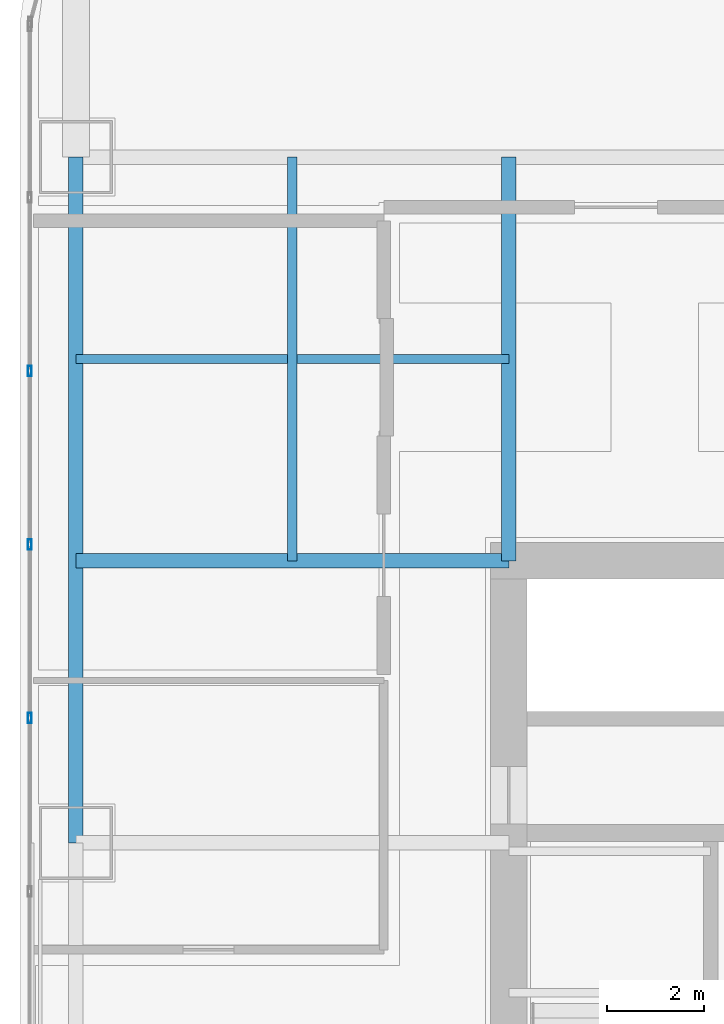
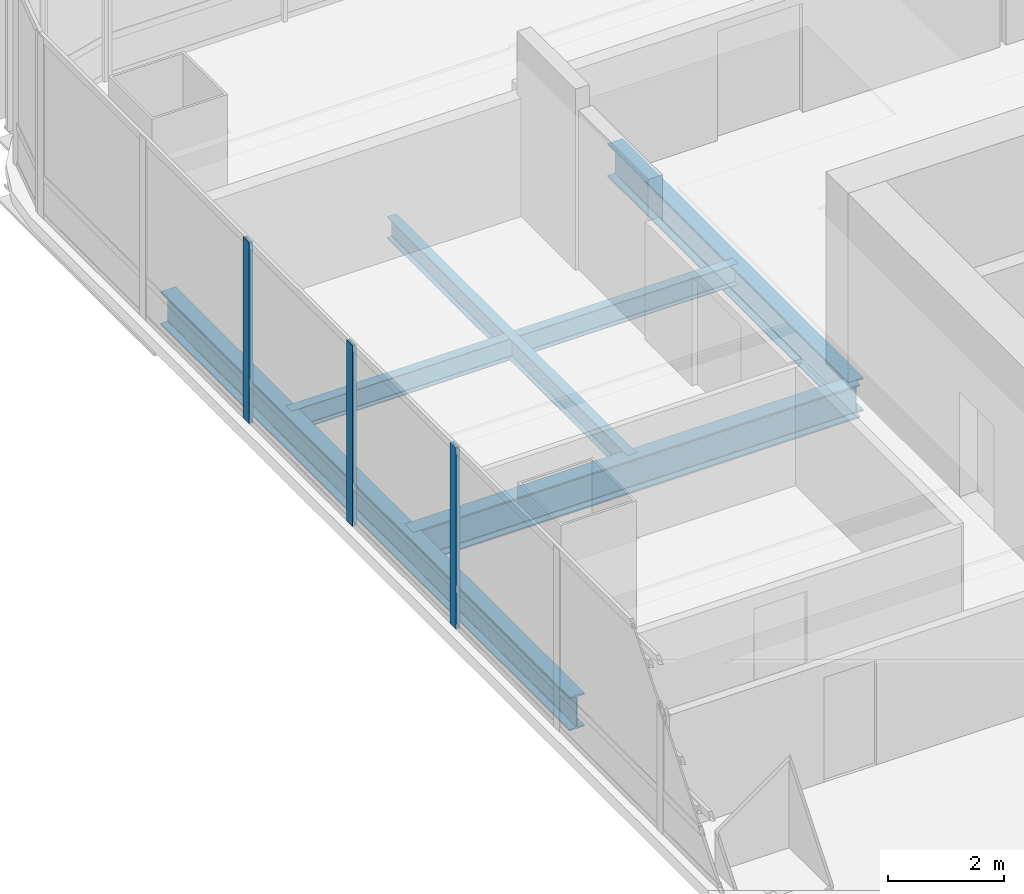
# One storey, part 11 of 34: 5 beams, 3 members, 1 element without a shape of its own.
"""IFC4 building model written with IfcOpenShell, lengths in metres."""

from ifc_helpers import new_model, si_unit, direction, frame, origin, origin_2d, place, context, subcontext, project, spatial, hollow_rectangle, i_section, extrude, material, material_profile, profile_set, type_object, element, aggregate, save


model = new_model("IFC4")

# Units and contexts
model_context = context("Model", 3, precision=1e-05, world=origin(), true_north=direction((0.0, 1.0)))
body_context = subcontext(model_context, "Body", "Model", "MODEL_VIEW")
ifc_project = project(units=[si_unit("LENGTHUNIT", "METRE"), si_unit("AREAUNIT", "SQUARE_METRE"), si_unit("VOLUMEUNIT", "CUBIC_METRE"), si_unit("PLANEANGLEUNIT", "RADIAN"), si_unit("MASSUNIT", "GRAM", prefix="KILO")], contexts=[model_context])

# Site, building, storey
site_placement = place(None, origin())
site = spatial("IfcSite", under=ifc_project, at=site_placement, CompositionType="ELEMENT")
building_placement = place(site_placement, origin())
building = spatial("IfcBuilding", under=site, at=building_placement, Name="Punatoya Terracotta Tower", CompositionType="ELEMENT")
storey_placement = place(building_placement, frame((0.0, 0.0, 105.14990234375)))
storey = spatial("IfcBuildingStorey", under=building, at=storey_placement, Name="L24", CompositionType="ELEMENT", Elevation=105.14990234375)

# Beams
ifc_material_1 = material(Name="Steel S355", Category="steel")
ifc_material_profile_1 = material_profile(ifc_material_1, i_section(OverallWidth=0.300048828125, OverallDepth=0.699951171875, WebThickness=0.01708984375, FlangeThickness=0.031982421875, FilletRadius=0.01806640625, at=origin_2d()))
ifc_profile_set_1 = profile_set([ifc_material_profile_1], Name="Steel S355")
beam_type_1 = type_object("IfcBeamType", Name="BM-PRI-700", PredefinedType="BEAM", material=ifc_profile_set_1)
beam_1_placement = place(storey_placement, frame((-19.10009765625, 3.39990234375, -0.58984375), z_axis=(0.0, 1.0, 0.0), x_axis=(-1.0, 0.0, 0.0)))
element("IfcBeam", 1, at=beam_1_placement, inside=storey, type_object=beam_type_1, Name="BM-L24-RG-W3", PredefinedType="BEAM", context=body_context, shape_type="SweptSolid", body=[
    extrude(i_section(OverallWidth=0.300048828125, OverallDepth=0.699951171875, WebThickness=0.01708984375, FlangeThickness=0.031982421875, FilletRadius=0.01806640625, at=origin_2d()), origin(), (0.0, 0.0, 1.0), 14.10009765625),
])
beam_2_placement = place(storey_placement, frame((-19.10009765625, 9.199951171875, -0.58984375), z_axis=(1.0, 0.0, 0.0), x_axis=(0.0, 1.0, 0.0)))
element("IfcBeam", 2, at=beam_2_placement, inside=storey, type_object=beam_type_1, Name="BM-L24-PR-WN", PredefinedType="BEAM", context=body_context, shape_type="SweptSolid", body=[
    extrude(i_section(OverallWidth=0.300048828125, OverallDepth=0.699951171875, WebThickness=0.01708984375, FlangeThickness=0.031982421875, FilletRadius=0.01806640625, at=origin_2d()), origin(), (0.0, 0.0, 1.0), 8.900146484375),
])
beam_3_placement = place(storey_placement, frame((-10.199951171875, 9.199951171875, -0.58984375), z_axis=(0.0, 1.0, 0.0), x_axis=(-1.0, 0.0, 0.0)))
element("IfcBeam", 3, at=beam_3_placement, inside=storey, type_object=beam_type_1, Name="BM-L24-PR-N1", PredefinedType="BEAM", context=body_context, shape_type="SweptSolid", body=[
    extrude(i_section(OverallWidth=0.300048828125, OverallDepth=0.699951171875, WebThickness=0.01708984375, FlangeThickness=0.031982421875, FilletRadius=0.01806640625, at=origin_2d()), origin(), (0.0, 0.0, 1.0), 8.300048828125),
])
ifc_material_profile_2 = material_profile(ifc_material_1, i_section(OverallWidth=0.18994140625, OverallDepth=0.449951171875, WebThickness=0.009521484375, FlangeThickness=0.0146484375, FilletRadius=0.01806640625, at=origin_2d()))
ifc_profile_set_2 = profile_set([ifc_material_profile_2], Name="Steel S355")
beam_type_2 = type_object("IfcBeamType", Name="BM-SEC-450", PredefinedType="JOIST", material=ifc_profile_set_2)
beam_4_placement = place(storey_placement, frame((-19.10009765625, 13.35009765625, -0.46484375), z_axis=(1.0, 0.0, 0.0), x_axis=(0.0, 1.0, 0.0)))
element("IfcBeam", 4, at=beam_4_placement, inside=storey, type_object=beam_type_2, Name="BM-L24-SJN-1", PredefinedType="JOIST", context=body_context, shape_type="SweptSolid", body=[
    extrude(i_section(OverallWidth=0.18994140625, OverallDepth=0.449951171875, WebThickness=0.009521484375, FlangeThickness=0.0146484375, FilletRadius=0.01806640625, at=origin_2d()), origin(), (0.0, 0.0, 1.0), 8.900146484375),
])
beam_5_placement = place(storey_placement, frame((-14.64990234375, 9.199951171875, -0.46484375), z_axis=(0.0, 1.0, 0.0), x_axis=(-1.0, 0.0, 0.0)))
element("IfcBeam", 5, at=beam_5_placement, inside=storey, type_object=beam_type_2, Name="BM-L24-SJW-2", PredefinedType="JOIST", context=body_context, shape_type="SweptSolid", body=[
    extrude(i_section(OverallWidth=0.18994140625, OverallDepth=0.449951171875, WebThickness=0.009521484375, FlangeThickness=0.0146484375, FilletRadius=0.01806640625, at=origin_2d()), origin(), (0.0, 0.0, 1.0), 8.300048828125),
])

# Curtain wall, members
ifc_material_2 = material(Name="Aluminium 6063-T6 + Double Low-E Glass", Category="aluminium")
curtain_wall_type = type_object("IfcCurtainWallType", Name="CW-M1", PredefinedType="NOTDEFINED", material=ifc_material_2)
curtain_wall_placement = place(storey_placement, origin())
curtain_wall = element("IfcCurtainWall", 6, at=curtain_wall_placement, inside=storey, type_object=curtain_wall_type, Name="L24 Curtain Wall CW-L24-W13-1", PredefinedType="NOTDEFINED")
ifc_material_3 = material(Name="Aluminium 6063-T6", Category="aluminium")
ifc_material_profile_3 = material_profile(ifc_material_3, hollow_rectangle(XDim=0.074951171875, YDim=0.2099609375, WallThickness=0.00439453125, at=origin_2d()))
ifc_profile_set_3 = profile_set([ifc_material_profile_3], Name="Aluminium 6063-T6")
member_type = type_object("IfcMemberType", Name="CW-MUL-M1", PredefinedType="MULLION", material=ifc_profile_set_3)
member_1_placement = place(storey_placement, frame((-20.050048828125, 13.10205078125, 0.0), z_axis=(0.0, 0.0, 1.0), x_axis=(1.0, 0.0, 0.0)))
member_1 = element("IfcMember", 7, at=member_1_placement, type_object=member_type, Name="CW-L24-W13-1 Mullion 02", PredefinedType="MULLION", context=body_context, shape_type="SweptSolid", body=[
    extrude(hollow_rectangle(XDim=0.074951171875, YDim=0.2099609375, WallThickness=0.00439453125, at=origin_2d()), origin(), (0.0, 0.0, 1.0), 3.81005859375),
])
member_2_placement = place(storey_placement, frame((-20.050048828125, 9.534912109375, 0.0), z_axis=(0.0, 0.0, 1.0), x_axis=(1.0, 0.0, 0.0)))
member_2 = element("IfcMember", 8, at=member_2_placement, type_object=member_type, Name="CW-L24-W13-1 Mullion 03", PredefinedType="MULLION", context=body_context, shape_type="SweptSolid", body=[
    extrude(hollow_rectangle(XDim=0.074951171875, YDim=0.2099609375, WallThickness=0.00439453125, at=origin_2d()), origin(), (0.0, 0.0, 1.0), 3.81005859375),
])
member_3_placement = place(storey_placement, frame((-20.050048828125, 5.96728515625, 0.0), z_axis=(0.0, 0.0, 1.0), x_axis=(1.0, 0.0, 0.0)))
member_3 = element("IfcMember", 9, at=member_3_placement, type_object=member_type, Name="CW-L24-W13-1 Mullion 04", PredefinedType="MULLION", context=body_context, shape_type="SweptSolid", body=[
    extrude(hollow_rectangle(XDim=0.074951171875, YDim=0.2099609375, WallThickness=0.00439453125, at=origin_2d()), origin(), (0.0, 0.0, 1.0), 3.81005859375),
])
aggregate(curtain_wall, [member_1, member_2, member_3])

save(model, "model.ifc")
